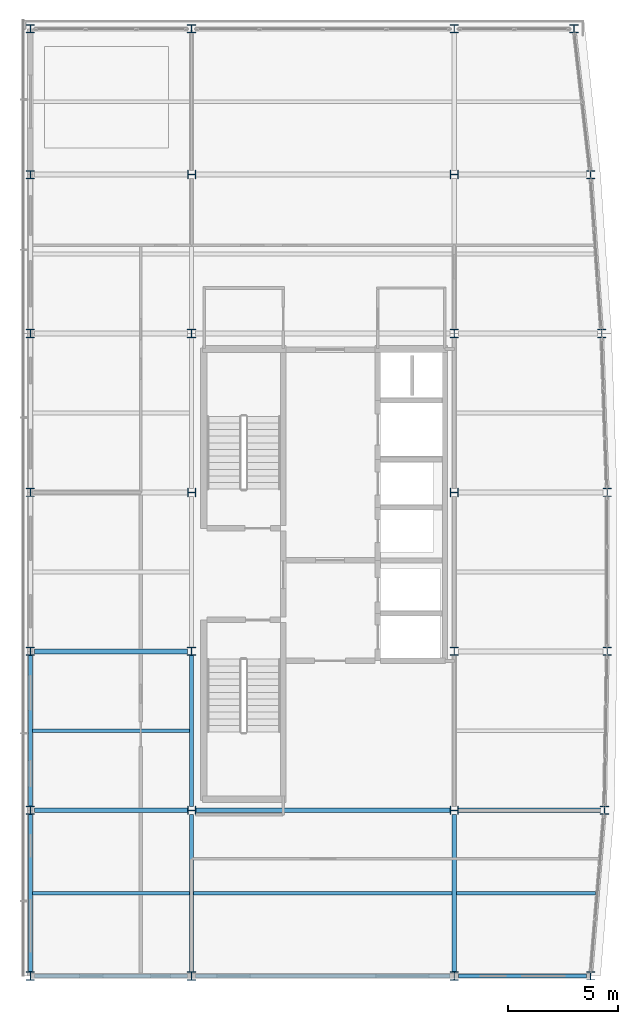
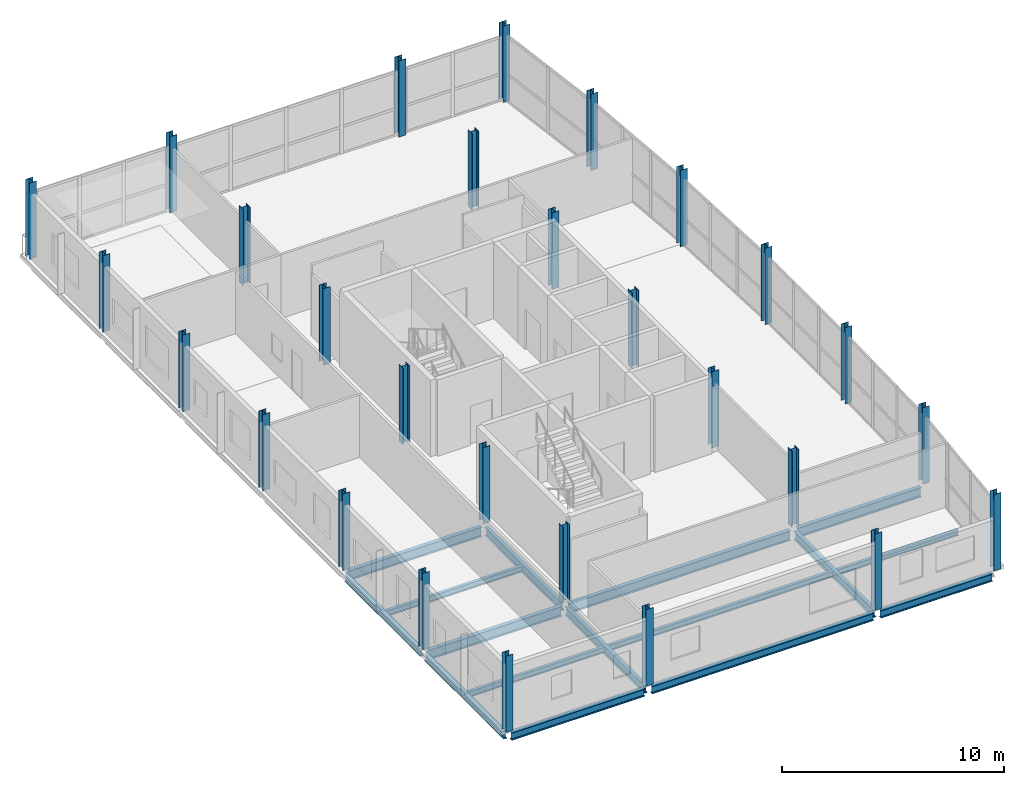
# One storey, part 1 of 16: 28 columns, 16 beams.
"""IFC4 building model written with IfcOpenShell, lengths in metres."""

from ifc_helpers import new_model, si_unit, direction, frame, origin, origin_2d, place, context, subcontext, project, spatial, i_section, extrude, material, material_profile, profile_set, type_object, element, save


model = new_model("IFC4")

# Units and contexts
model_context = context("Model", 3, precision=1e-05, world=origin(), true_north=direction((0.0, 1.0)))
body_context = subcontext(model_context, "Body", "Model", "MODEL_VIEW")
ifc_project = project(units=[si_unit("LENGTHUNIT", "METRE"), si_unit("AREAUNIT", "SQUARE_METRE"), si_unit("VOLUMEUNIT", "CUBIC_METRE"), si_unit("PLANEANGLEUNIT", "RADIAN"), si_unit("MASSUNIT", "GRAM", prefix="KILO")], contexts=[model_context])

# Site, building, storey
site_placement = place(None, origin())
site = spatial("IfcSite", under=ifc_project, at=site_placement, CompositionType="ELEMENT")
building_placement = place(site_placement, origin())
building = spatial("IfcBuilding", under=site, at=building_placement, Name="Quillay Park Conservatory", CompositionType="ELEMENT")
storey_placement = place(building_placement, frame((0.0, 0.0, 43.5)))
storey = spatial("IfcBuildingStorey", under=building, at=storey_placement, Name="L10", CompositionType="ELEMENT", Elevation=43.5)

# Columns
ifc_material_1 = material(Name="Steel ASTM A992 Grade 50", Category="steel")
ifc_material_profile_1 = material_profile(ifc_material_1, i_section(OverallWidth=0.37109375, OverallDepth=0.364013671875, WebThickness=0.01318359375, FlangeThickness=0.021728515625, FilletRadius=0.014892578125, at=origin_2d()), Name="W360x162")
ifc_profile_set_1 = profile_set([ifc_material_profile_1], Name="Steel ASTM A992 Grade 50")
column_type = type_object("IfcColumnType", Name="COMPOSITE STEEL COLUMN W360 X162", PredefinedType="COLUMN", material=ifc_profile_set_1)
for number, where, z_axis, x_axis, name in (
    (1, (0.550048828125, 70.5, 0.0), (0.0, 0.0, 1.0), (1.0, 0.0, 0.0), "L10 column COL-V4-L10-0-0"),
    (2, (7.85009765625, 70.5, 0.0), (0.0, 0.0, 1.0), (1.0, 0.0, 0.0), "L10 column COL-V4-L10-0-1"),
    (3, (19.75, 70.5, 0.0), (0.0, 0.0, 1.0), (1.0, 0.0, 0.0), "L10 column COL-V4-L10-0-2"),
    (4, (25.925048828125, 70.5, 0.0), (0.0, 0.0, 1.0), (1.0, 0.0, 0.0), "L10 column COL-V4-L10-0-3"),
    (5, (0.550048828125, 78.0, 0.0), (0.0, 0.0, 1.0), (1.0, 0.0, 0.0), "L10 column COL-V4-L10-1-0"),
    (6, (7.85009765625, 78.0, 0.0), (0.0, 0.0, 1.0), (0.0, 1.0, 0.0), "L10 column COL-V4-L10-1-1"),
    (7, (19.75, 78.0, 0.0), (0.0, 0.0, 1.0), (0.0, 1.0, 0.0), "L10 column COL-V4-L10-1-2"),
    (8, (26.550048828125, 78.0, 0.0), (0.0, 0.0, 1.0), (1.0, 0.0, 0.0), "L10 column COL-V4-L10-1-3"),
    (9, (0.550048828125, 85.199951171875, 0.0), (0.0, 0.0, 1.0), (1.0, 0.0, 0.0), "L10 column COL-V4-L10-2-0"),
    (10, (7.85009765625, 85.199951171875, 0.0), (0.0, 0.0, 1.0), (1.0, 0.0, 0.0), "L10 column COL-V4-L10-2-1"),
    (11, (19.75, 85.199951171875, 0.0), (0.0, 0.0, 1.0), (1.0, 0.0, 0.0), "L10 column COL-V4-L10-2-2"),
    (12, (26.675048828125, 85.199951171875, 0.0), (0.0, 0.0, 1.0), (1.0, 0.0, 0.0), "L10 column COL-V4-L10-2-3"),
    (13, (0.550048828125, 92.39990234375, 0.0), (0.0, 0.0, 1.0), (1.0, 0.0, 0.0), "L10 column COL-V4-L10-3-0"),
    (14, (7.85009765625, 92.39990234375, 0.0), (0.0, 0.0, 1.0), (0.0, 1.0, 0.0), "L10 column COL-V4-L10-3-1"),
    (15, (19.75, 92.39990234375, 0.0), (0.0, 0.0, 1.0), (0.0, 1.0, 0.0), "L10 column COL-V4-L10-3-2"),
    (16, (26.675048828125, 92.39990234375, 0.0), (0.0, 0.0, 1.0), (1.0, 0.0, 0.0), "L10 column COL-V4-L10-3-3"),
    (17, (0.550048828125, 99.60009765625, 0.0), (0.0, 0.0, 1.0), (1.0, 0.0, 0.0), "L10 column COL-V4-L10-4-0"),
    (18, (7.85009765625, 99.60009765625, 0.0), (0.0, 0.0, 1.0), (1.0, 0.0, 0.0), "L10 column COL-V4-L10-4-1"),
    (19, (19.75, 99.60009765625, 0.0), (0.0, 0.0, 1.0), (1.0, 0.0, 0.0), "L10 column COL-V4-L10-4-2"),
    (20, (26.425048828125, 99.60009765625, 0.0), (0.0, 0.0, 1.0), (1.0, 0.0, 0.0), "L10 column COL-V4-L10-4-3"),
    (21, (0.550048828125, 106.800048828125, 0.0), (0.0, 0.0, 1.0), (1.0, 0.0, 0.0), "L10 column COL-V4-L10-5-0"),
    (22, (7.85009765625, 106.800048828125, 0.0), (0.0, 0.0, 1.0), (0.0, 1.0, 0.0), "L10 column COL-V4-L10-5-1"),
    (23, (19.75, 106.800048828125, 0.0), (0.0, 0.0, 1.0), (0.0, 1.0, 0.0), "L10 column COL-V4-L10-5-2"),
    (24, (25.925048828125, 106.800048828125, 0.0), (0.0, 0.0, 1.0), (1.0, 0.0, 0.0), "L10 column COL-V4-L10-5-3"),
    (25, (0.550048828125, 113.39990234375, 0.0), (0.0, 0.0, 1.0), (1.0, 0.0, 0.0), "L10 column COL-V4-L10-6-0"),
    (26, (7.85009765625, 113.39990234375, 0.0), (0.0, 0.0, 1.0), (1.0, 0.0, 0.0), "L10 column COL-V4-L10-6-1"),
    (27, (19.75, 113.39990234375, 0.0), (0.0, 0.0, 1.0), (1.0, 0.0, 0.0), "L10 column COL-V4-L10-6-2"),
    (28, (25.175048828125, 113.39990234375, 0.0), (0.0, 0.0, 1.0), (1.0, 0.0, 0.0), "L10 column COL-V4-L10-6-3"),
):
    element("IfcColumn", number, at=place(storey_placement, frame(where, z_axis=z_axis, x_axis=x_axis)), inside=storey, type_object=column_type, Name=name, PredefinedType="COLUMN", context=body_context, shape_type="SweptSolid", body=[
        extrude(i_section(OverallWidth=0.37109375, OverallDepth=0.364013671875, WebThickness=0.01318359375, FlangeThickness=0.021728515625, FilletRadius=0.014892578125, at=origin_2d()), origin(), (0.0, 0.0, 1.0), 4.199951171875),
    ])

# Beams
ifc_material_2 = material(Name="Steel ASTM A992 Grade 50", Category="steel")
ifc_material_profile_2 = material_profile(ifc_material_2, i_section(OverallWidth=0.166015625, OverallDepth=0.31298828125, WebThickness=0.006591796875, FlangeThickness=0.01123046875, FilletRadius=0.010009765625, at=origin_2d()), Name="W310x45")
ifc_profile_set_2 = profile_set([ifc_material_profile_2], Name="Steel ASTM A992 Grade 50")
beam_type_1 = type_object("IfcBeamType", Name="COMPOSITE FLOOR JOIST W310 X45", PredefinedType="JOIST", material=ifc_profile_set_2)
beam_1_placement = place(storey_placement, frame((0.639892578125, 74.25, -0.3564453125), z_axis=(1.0, 0.0, 0.0), x_axis=(0.0, 1.0, 0.0)))
element("IfcBeam", 29, at=beam_1_placement, inside=storey, type_object=beam_type_1, Name="L10 beam BM-J-0733", PredefinedType="JOIST", context=body_context, shape_type="SweptSolid", body=[
    extrude(i_section(OverallWidth=0.166015625, OverallDepth=0.31298828125, WebThickness=0.006591796875, FlangeThickness=0.01123046875, FilletRadius=0.010009765625, at=origin_2d()), origin(), (0.0, 0.0, 1.0), 7.114013671875),
])
beam_2_placement = place(storey_placement, frame((19.845947265625, 74.25, -0.3564453125), z_axis=(1.0, 0.0, 0.0), x_axis=(0.0, 1.0, 0.0)))
element("IfcBeam", 30, at=beam_2_placement, inside=storey, type_object=beam_type_1, Name="L10 beam BM-J-0734", PredefinedType="JOIST", context=body_context, shape_type="SweptSolid", body=[
    extrude(i_section(OverallWidth=0.166015625, OverallDepth=0.31298828125, WebThickness=0.006591796875, FlangeThickness=0.01123046875, FilletRadius=0.010009765625, at=origin_2d()), origin(), (0.0, 0.0, 1.0), 6.301513671875),
])
beam_3_placement = place(storey_placement, frame((7.946044921875, 74.25, -0.3564453125), z_axis=(1.0, 0.0, 0.0), x_axis=(0.0, 1.0, 0.0)))
element("IfcBeam", 31, at=beam_3_placement, inside=storey, type_object=beam_type_1, Name="L10 beam BM-J-0735", PredefinedType="JOIST", context=body_context, shape_type="SweptSolid", body=[
    extrude(i_section(OverallWidth=0.166015625, OverallDepth=0.31298828125, WebThickness=0.006591796875, FlangeThickness=0.01123046875, FilletRadius=0.010009765625, at=origin_2d()), origin(), (0.0, 0.0, 1.0), 11.7080078125),
])
beam_4_placement = place(storey_placement, frame((0.639892578125, 81.60009765625, -0.3564453125), z_axis=(1.0, 0.0, 0.0), x_axis=(0.0, 1.0, 0.0)))
element("IfcBeam", 32, at=beam_4_placement, inside=storey, type_object=beam_type_1, Name="L10 beam BM-J-0740", PredefinedType="JOIST", context=body_context, shape_type="SweptSolid", body=[
    extrude(i_section(OverallWidth=0.166015625, OverallDepth=0.31298828125, WebThickness=0.006591796875, FlangeThickness=0.01123046875, FilletRadius=0.010009765625, at=origin_2d()), origin(), (0.0, 0.0, 1.0), 7.114013671875),
])
ifc_material_3 = material(Name="Steel ASTM A992 Grade 50", Category="steel")
ifc_material_profile_3 = material_profile(ifc_material_3, i_section(OverallWidth=0.179931640625, OverallDepth=0.4130859375, WebThickness=0.009765625, FlangeThickness=0.01611328125, FilletRadius=0.011962890625, at=origin_2d()), Name="W410x74")
ifc_profile_set_3 = profile_set([ifc_material_profile_3], Name="Steel ASTM A992 Grade 50")
beam_type_2 = type_object("IfcBeamType", Name="PERIMETER SPANDREL BEAM W410 X74", PredefinedType="SPANDREL", material=ifc_profile_set_3)
beam_5_placement = place(storey_placement, frame((0.735595703125, 70.5, -0.406494140625), z_axis=(1.0, 0.0, 0.0), x_axis=(0.0, 1.0, 0.0)))
element("IfcBeam", 33, at=beam_5_placement, inside=storey, type_object=beam_type_2, Name="L10 beam BM-SP-0710", PredefinedType="SPANDREL", context=body_context, shape_type="SweptSolid", body=[
    extrude(i_section(OverallWidth=0.179931640625, OverallDepth=0.4130859375, WebThickness=0.009765625, FlangeThickness=0.01611328125, FilletRadius=0.011962890625, at=origin_2d()), origin(), (0.0, 0.0, 1.0), 6.928955078125),
])
beam_6_placement = place(storey_placement, frame((8.035400390625, 70.5, -0.406494140625), z_axis=(1.0, 0.0, 0.0), x_axis=(0.0, 1.0, 0.0)))
element("IfcBeam", 34, at=beam_6_placement, inside=storey, type_object=beam_type_2, Name="L10 beam BM-SP-0711", PredefinedType="SPANDREL", context=body_context, shape_type="SweptSolid", body=[
    extrude(i_section(OverallWidth=0.179931640625, OverallDepth=0.4130859375, WebThickness=0.009765625, FlangeThickness=0.01611328125, FilletRadius=0.011962890625, at=origin_2d()), origin(), (0.0, 0.0, 1.0), 11.529052734375),
])
beam_7_placement = place(storey_placement, frame((19.935546875, 70.5, -0.406494140625), z_axis=(1.0, 0.0, 0.0), x_axis=(0.0, 1.0, 0.0)))
element("IfcBeam", 35, at=beam_7_placement, inside=storey, type_object=beam_type_2, Name="L10 beam BM-SP-0712", PredefinedType="SPANDREL", context=body_context, shape_type="SweptSolid", body=[
    extrude(i_section(OverallWidth=0.179931640625, OverallDepth=0.4130859375, WebThickness=0.009765625, FlangeThickness=0.01611328125, FilletRadius=0.011962890625, at=origin_2d()), origin(), (0.0, 0.0, 1.0), 5.803955078125),
])
beam_8_placement = place(storey_placement, frame((0.550048828125, 70.681884765625, -0.406494140625), z_axis=(0.0, 1.0, 0.0), x_axis=(-1.0, 0.0, 0.0)))
element("IfcBeam", 36, at=beam_8_placement, inside=storey, type_object=beam_type_2, Name="L10 beam BM-SPW-0729", PredefinedType="SPANDREL", context=body_context, shape_type="SweptSolid", body=[
    extrude(i_section(OverallWidth=0.179931640625, OverallDepth=0.4130859375, WebThickness=0.009765625, FlangeThickness=0.01611328125, FilletRadius=0.011962890625, at=origin_2d()), origin(), (0.0, 0.0, 1.0), 7.13623046875),
])
beam_9_placement = place(storey_placement, frame((0.550048828125, 78.181884765625, -0.406494140625), z_axis=(0.0, 1.0, 0.0), x_axis=(-1.0, 0.0, 0.0)))
element("IfcBeam", 37, at=beam_9_placement, inside=storey, type_object=beam_type_2, Name="L10 beam BM-SPW-0736", PredefinedType="SPANDREL", context=body_context, shape_type="SweptSolid", body=[
    extrude(i_section(OverallWidth=0.179931640625, OverallDepth=0.4130859375, WebThickness=0.009765625, FlangeThickness=0.01611328125, FilletRadius=0.011962890625, at=origin_2d()), origin(), (0.0, 0.0, 1.0), 6.836181640625),
])
ifc_material_4 = material(Name="Steel ASTM A992 Grade 50", Category="steel")
ifc_material_profile_4 = material_profile(ifc_material_4, i_section(OverallWidth=0.19189453125, OverallDepth=0.462890625, WebThickness=0.010498046875, FlangeThickness=0.017578125, FilletRadius=0.012939453125, at=origin_2d()), Name="W460x89")
ifc_profile_set_4 = profile_set([ifc_material_profile_4], Name="Steel ASTM A992 Grade 50")
beam_type_3 = type_object("IfcBeamType", Name="PRIMARY FLOOR GIRDER W460 X89", PredefinedType="BEAM", material=ifc_profile_set_4)
for number, where, z_axis, x_axis, name in (
    (38, (7.85009765625, 70.681884765625, -0.431396484375), (0.0, 1.0, 0.0), (-1.0, 0.0, 0.0), "L10 beam BM-GNS-0731"),
    (39, (19.75, 70.681884765625, -0.431396484375), (0.0, 1.0, 0.0), (-1.0, 0.0, 0.0), "L10 beam BM-GNS-0732"),
):
    element("IfcBeam", number, at=place(storey_placement, frame(where, z_axis=z_axis, x_axis=x_axis)), inside=storey, type_object=beam_type_3, Name=name, PredefinedType="BEAM", context=body_context, shape_type="SweptSolid", body=[
        extrude(i_section(OverallWidth=0.19189453125, OverallDepth=0.462890625, WebThickness=0.010498046875, FlangeThickness=0.017578125, FilletRadius=0.012939453125, at=origin_2d()), origin(), (0.0, 0.0, 1.0), 7.132568359375),
    ])
beam_10_placement = place(storey_placement, frame((7.85009765625, 78.185546875, -0.431396484375), z_axis=(0.0, 1.0, 0.0), x_axis=(-1.0, 0.0, 0.0)))
element("IfcBeam", 40, at=beam_10_placement, inside=storey, type_object=beam_type_3, Name="L10 beam BM-GNS-0738", PredefinedType="BEAM", context=body_context, shape_type="SweptSolid", body=[
    extrude(i_section(OverallWidth=0.19189453125, OverallDepth=0.462890625, WebThickness=0.010498046875, FlangeThickness=0.017578125, FilletRadius=0.012939453125, at=origin_2d()), origin(), (0.0, 0.0, 1.0), 6.83251953125),
])
ifc_material_5 = material(Name="Steel ASTM A992 Grade 50", Category="steel")
ifc_material_profile_5 = material_profile(ifc_material_5, i_section(OverallWidth=0.2109375, OverallDepth=0.5390625, WebThickness=0.01171875, FlangeThickness=0.018798828125, FilletRadius=0.013916015625, at=origin_2d()), Name="W530x109")
ifc_profile_set_5 = profile_set([ifc_material_profile_5], Name="Steel ASTM A992 Grade 50")
beam_type_4 = type_object("IfcBeamType", Name="PRIMARY FLOOR GIRDER W530 X109", PredefinedType="BEAM", material=ifc_profile_set_5)
beam_11_placement = place(storey_placement, frame((0.735595703125, 78.0, -0.469482421875), z_axis=(1.0, 0.0, 0.0), x_axis=(0.0, 1.0, 0.0)))
element("IfcBeam", 41, at=beam_11_placement, inside=storey, type_object=beam_type_4, Name="L10 beam BM-G-0713", PredefinedType="BEAM", context=body_context, shape_type="SweptSolid", body=[
    extrude(i_section(OverallWidth=0.2109375, OverallDepth=0.5390625, WebThickness=0.01171875, FlangeThickness=0.018798828125, FilletRadius=0.013916015625, at=origin_2d()), origin(), (0.0, 0.0, 1.0), 6.932373046875),
])
beam_12_placement = place(storey_placement, frame((8.031982421875, 78.0, -0.469482421875), z_axis=(1.0, 0.0, 0.0), x_axis=(0.0, 1.0, 0.0)))
element("IfcBeam", 42, at=beam_12_placement, inside=storey, type_object=beam_type_4, Name="L10 beam BM-G-0714", PredefinedType="BEAM", context=body_context, shape_type="SweptSolid", body=[
    extrude(i_section(OverallWidth=0.2109375, OverallDepth=0.5390625, WebThickness=0.01171875, FlangeThickness=0.018798828125, FilletRadius=0.013916015625, at=origin_2d()), origin(), (0.0, 0.0, 1.0), 11.5361328125),
])
beam_13_placement = place(storey_placement, frame((19.931884765625, 78.0, -0.469482421875), z_axis=(1.0, 0.0, 0.0), x_axis=(0.0, 1.0, 0.0)))
element("IfcBeam", 43, at=beam_13_placement, inside=storey, type_object=beam_type_4, Name="L10 beam BM-G-0715", PredefinedType="BEAM", context=body_context, shape_type="SweptSolid", body=[
    extrude(i_section(OverallWidth=0.2109375, OverallDepth=0.5390625, WebThickness=0.01171875, FlangeThickness=0.018798828125, FilletRadius=0.013916015625, at=origin_2d()), origin(), (0.0, 0.0, 1.0), 6.4326171875),
])
beam_14_placement = place(storey_placement, frame((0.735595703125, 85.199951171875, -0.469482421875), z_axis=(1.0, 0.0, 0.0), x_axis=(0.0, 1.0, 0.0)))
element("IfcBeam", 44, at=beam_14_placement, inside=storey, type_object=beam_type_4, Name="L10 beam BM-G-0716", PredefinedType="BEAM", context=body_context, shape_type="SweptSolid", body=[
    extrude(i_section(OverallWidth=0.2109375, OverallDepth=0.5390625, WebThickness=0.01171875, FlangeThickness=0.018798828125, FilletRadius=0.013916015625, at=origin_2d()), origin(), (0.0, 0.0, 1.0), 6.928955078125),
])

save(model, "model.ifc")
